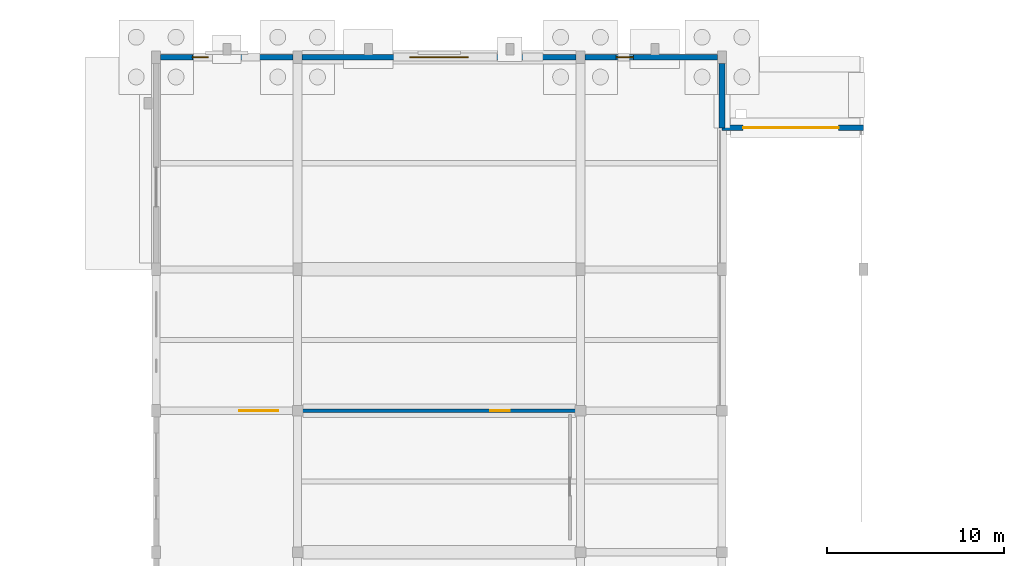
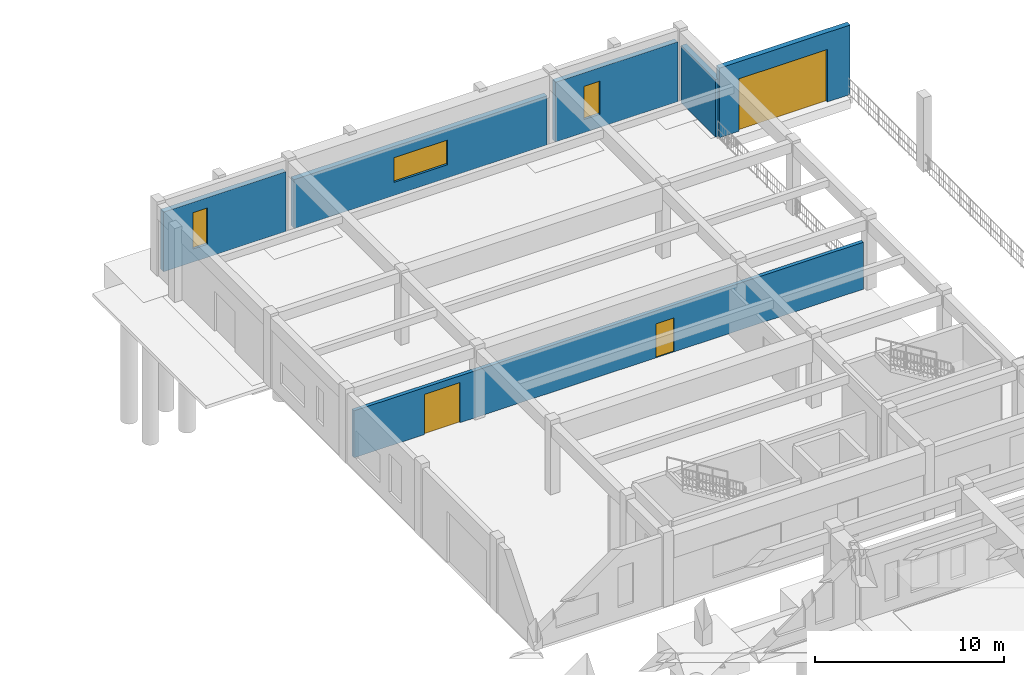
# One storey, part 51 of 68: 6 walls, 3 doors, 3 windows, 6 openings.
"""IFC4 building model written with IfcOpenShell, lengths in metres."""

from ifc_helpers import new_model, si_unit, direction, frame, frame_2d, origin, place, context, subcontext, project, spatial, rectangle, extrude, material, layer, layer_set, type_object, element, fill, save


model = new_model("IFC4")

# Units and contexts
model_context = context("Model", 3, precision=1e-05, world=origin(), true_north=direction((0.0, 1.0)))
body_context = subcontext(model_context, "Body", "Model", "MODEL_VIEW")
ifc_project = project(units=[si_unit("LENGTHUNIT", "METRE"), si_unit("AREAUNIT", "SQUARE_METRE"), si_unit("VOLUMEUNIT", "CUBIC_METRE"), si_unit("PLANEANGLEUNIT", "RADIAN"), si_unit("MASSUNIT", "GRAM", prefix="KILO")], contexts=[model_context])

# Site, building, storey
site_placement = place(None, origin())
site = spatial("IfcSite", under=ifc_project, at=site_placement, CompositionType="ELEMENT")
building_placement = place(site_placement, origin())
building = spatial("IfcBuilding", under=site, at=building_placement, Name="Serraluz Foothill Cableway Terminal", CompositionType="ELEMENT")
storey_placement = place(building_placement, origin())
storey = spatial("IfcBuildingStorey", under=building, at=storey_placement, Name="L00", CompositionType="ELEMENT", Elevation=0.0)

# Wall, opening, door
ifc_material_1 = material(Name="Dark clinker clay masonry brick (f'm 14 MPa)", Category="masonry")
ifc_layer_1 = layer(ifc_material_1, 0.320068359375, Name="Dark clinker clay masonry brick (f'm 14 MPa)", Category="masonry")
ifc_layer_set_1 = layer_set([ifc_layer_1], Name="Dark clinker clay masonry brick (f'm 14 MPa)")
wall_type_1 = type_object("IfcWallType", Name="TYP-WL-EXT-320", PredefinedType="STANDARD", material=ifc_layer_set_1)
wall_1_placement = place(storey_placement, frame((104.0, 112.0, 0.0), z_axis=(0.0, 0.0, 1.0), x_axis=(1.0, 0.0, 0.0)))
wall_1 = element("IfcWall", 1, at=wall_1_placement, inside=storey, type_object=wall_type_1, Name="Exterior Masonry Wall EW-V4-RAMP-GATE", PredefinedType="STANDARD", context=body_context, shape_type="SweptSolid", body=[
    extrude(rectangle(XDim=8.0, YDim=0.320068359375, at=frame_2d((4.0, 0.0))), origin(), (0.0, 0.0, 1.0), 4.5),
])
opening_1_placement = place(wall_1_placement, frame((1.199951171875, 0.0, 0.0)))
opening_1 = element("IfcOpeningElement", 2, at=opening_1_placement, cuts=wall_1, Name="Opening GV-01", PredefinedType="OPENING", context=body_context, shape_type="SweptSolid", body=[
    extrude(rectangle(XDim=5.39990234375, YDim=3.39990234375, at=frame_2d((2.699951171875, 1.699951171875))), frame((0.0, 0.169921875, 0.0), z_axis=(0.0, -1.0, 0.0), x_axis=(1.0, 0.0, 0.0)), (0.0, 0.0, 1.0), 0.340087890625),
])
ifc_material_2 = material(Name="Galvanized hollow-metal steel sheet", Category="steel")
door_type_1 = type_object("IfcDoorType", Name="TYP-GT-VEH-5400", OperationType="ROLLINGUP", PredefinedType="GATE", material=ifc_material_2)
door_1_placement = place(opening_1_placement, origin())
door_1 = element("IfcDoor", 3, at=door_1_placement, inside=storey, type_object=door_type_1, Name="Exterior door D-VG01", OperationType="ROLLINGUP", OverallHeight=3.39990234375, OverallWidth=5.39990234375, PredefinedType="GATE", context=body_context, shape_type="SweptSolid", body=[
    extrude(rectangle(XDim=5.39990234375, YDim=3.39990234375, at=frame_2d((2.699951171875, 1.699951171875))), frame((0.0, 0.02490234375, 0.0), z_axis=(0.0, -1.0, 0.0), x_axis=(1.0, 0.0, 0.0)), (0.0, 0.0, 1.0), 0.050048828125),
])
fill(opening_1, door_1)

# Wall, opening, window
wall_2_placement = place(storey_placement, frame((72.25, 116.0, 0.0), z_axis=(0.0, 0.0, 1.0), x_axis=(1.0, 0.0, 0.0)))
wall_2 = element("IfcWall", 4, at=wall_2_placement, inside=storey, type_object=wall_type_1, Name="Exterior Masonry Wall EW-V4N-L00-1A", PredefinedType="STANDARD", context=body_context, shape_type="SweptSolid", body=[
    extrude(rectangle(XDim=7.5, YDim=0.320068359375, at=frame_2d((3.75, 0.0))), origin(), (0.0, 0.0, 1.0), 3.8701171875),
])
opening_2_placement = place(wall_2_placement, frame((1.800048828125, 0.0, 0.85009765625)))
opening_2 = element("IfcOpeningElement", 5, at=opening_2_placement, cuts=wall_2, Name="Opening W-37", PredefinedType="OPENING", context=body_context, shape_type="SweptSolid", body=[
    extrude(rectangle(XDim=0.89990234375, YDim=2.35009765625, at=frame_2d((0.449951171875, 1.175048828125))), frame((0.0, 0.169921875, 0.0), z_axis=(0.0, -1.0, 0.0), x_axis=(1.0, 0.0, 0.0)), (0.0, 0.0, 1.0), 0.340087890625),
])
ifc_material_3 = material(Name="Laminated low-E safety glass", Category="glass")
window_type_1 = type_object("IfcWindowType", Name="TYP-WN-090X235", PartitioningType="SINGLE_PANEL", PredefinedType="WINDOW", material=ifc_material_3)
window_1_placement = place(opening_2_placement, origin())
window_1 = element("IfcWindow", 6, at=window_1_placement, inside=storey, type_object=window_type_1, Name="Exterior Window EW-V4N-L00-1A-WN1", OverallHeight=2.35009765625, OverallWidth=0.89990234375, PartitioningType="SINGLE_PANEL", PredefinedType="WINDOW", context=body_context, shape_type="SweptSolid", body=[
    extrude(rectangle(XDim=0.89990234375, YDim=2.35009765625, at=frame_2d((0.449951171875, 1.175048828125))), frame((0.0, 0.030029296875, 0.0), z_axis=(0.0, -1.0, 0.0), x_axis=(1.0, 0.0, 0.0)), (0.0, 0.0, 1.0), 0.06005859375),
])
fill(opening_2, window_1)

wall_3_placement = place(storey_placement, frame((80.25, 116.0, 0.0), z_axis=(0.0, 0.0, 1.0), x_axis=(1.0, 0.0, 0.0)))
wall_3 = element("IfcWall", 7, at=wall_3_placement, inside=storey, type_object=wall_type_1, Name="Exterior Masonry Wall EW-V4N-L00-1B", PredefinedType="STANDARD", context=body_context, shape_type="SweptSolid", body=[
    extrude(rectangle(XDim=15.5, YDim=0.320068359375, at=frame_2d((7.75, 0.0))), origin(), (0.0, 0.0, 1.0), 3.169921875),
])
opening_3_placement = place(wall_3_placement, frame((6.10009765625, 0.0, 0.85009765625)))
opening_3 = element("IfcOpeningElement", 8, at=opening_3_placement, cuts=wall_3, Name="Opening W-18", PredefinedType="OPENING", context=body_context, shape_type="SweptSolid", body=[
    extrude(rectangle(XDim=3.300048828125, YDim=1.60009765625, at=frame_2d((1.64990234375, 0.800048828125))), frame((0.0, 0.169921875, 0.0), z_axis=(0.0, -1.0, 0.0), x_axis=(1.0, 0.0, 0.0)), (0.0, 0.0, 1.0), 0.340087890625),
])
window_type_2 = type_object("IfcWindowType", Name="TYP-WN-330X160", PartitioningType="TRIPLE_PANEL_VERTICAL", PredefinedType="WINDOW", material=ifc_material_3)
window_2_placement = place(opening_3_placement, origin())
window_2 = element("IfcWindow", 9, at=window_2_placement, inside=storey, type_object=window_type_2, Name="Exterior Window EW-V4N-L00-1B-WN2", OverallHeight=1.60009765625, OverallWidth=3.300048828125, PartitioningType="SINGLE_PANEL", PredefinedType="WINDOW", context=body_context, shape_type="SweptSolid", body=[
    extrude(rectangle(XDim=3.300048828125, YDim=1.60009765625, at=frame_2d((1.64990234375, 0.800048828125))), frame((0.0, 0.030029296875, 0.0), z_axis=(0.0, -1.0, 0.0), x_axis=(1.0, 0.0, 0.0)), (0.0, 0.0, 1.0), 0.06005859375),
])
fill(opening_3, window_2)

wall_4_placement = place(storey_placement, frame((96.25, 116.0, 0.0), z_axis=(0.0, 0.0, 1.0), x_axis=(1.0, 0.0, 0.0)))
wall_4 = element("IfcWall", 10, at=wall_4_placement, inside=storey, type_object=wall_type_1, Name="Exterior Masonry Wall EW-V4N-L00-2", PredefinedType="STANDARD", context=body_context, shape_type="SweptSolid", body=[
    extrude(rectangle(XDim=7.5, YDim=0.320068359375, at=frame_2d((3.75, 0.0))), origin(), (0.0, 0.0, 1.0), 3.8701171875),
])
opening_4_placement = place(wall_4_placement, frame((1.760009765625, 0.0, 0.85009765625)))
opening_4 = element("IfcOpeningElement", 11, at=opening_4_placement, cuts=wall_4, Name="Opening W-49", PredefinedType="OPENING", context=body_context, shape_type="SweptSolid", body=[
    extrude(rectangle(XDim=0.97998046875, YDim=2.14990234375, at=frame_2d((0.489990234375, 1.074951171875))), frame((0.0, 0.169921875, 0.0), z_axis=(0.0, -1.0, 0.0), x_axis=(1.0, 0.0, 0.0)), (0.0, 0.0, 1.0), 0.340087890625),
])
window_type_3 = type_object("IfcWindowType", Name="TYP-WN-098X215", PartitioningType="SINGLE_PANEL", PredefinedType="WINDOW", material=ifc_material_3)
window_3_placement = place(opening_4_placement, origin())
window_3 = element("IfcWindow", 12, at=window_3_placement, inside=storey, type_object=window_type_3, Name="Exterior Window EW-V4N-L00-2-WN1", OverallHeight=2.14990234375, OverallWidth=0.97998046875, PartitioningType="SINGLE_PANEL", PredefinedType="WINDOW", context=body_context, shape_type="SweptSolid", body=[
    extrude(rectangle(XDim=0.97998046875, YDim=2.14990234375, at=frame_2d((0.489990234375, 1.074951171875))), frame((0.0, 0.030029296875, 0.0), z_axis=(0.0, -1.0, 0.0), x_axis=(1.0, 0.0, 0.0)), (0.0, 0.0, 1.0), 0.06005859375),
])
fill(opening_4, window_3)

# Wall
wall_5_placement = place(storey_placement, frame((104.0, 115.64990234375, 0.0), z_axis=(0.0, 0.0, 1.0), x_axis=(0.0, -1.0, 0.0)))
element("IfcWall", 13, at=wall_5_placement, inside=storey, type_object=wall_type_1, Name="Exterior Masonry Wall EW-V4E-L00-N", PredefinedType="STANDARD", context=body_context, shape_type="SweptSolid", body=[
    extrude(rectangle(XDim=3.64990234375, YDim=0.320068359375, at=frame_2d((1.824951171875, 0.0))), origin(), (0.0, 0.0, 1.0), 3.719970703125),
])

# Wall, openings, doors
ifc_material_4 = material(Name="Concrete C28/35 (f'c 28 MPa)", Category="concrete")
ifc_layer_2 = layer(ifc_material_4, 0.219970703125, Name="Concrete C28/35 (f'c 28 MPa)", Category="concrete")
ifc_layer_set_2 = layer_set([ifc_layer_2], Name="Concrete C28/35 (f'c 28 MPa)")
wall_type_2 = type_object("IfcWallType", Name="TYP-WL-PRT-220", PredefinedType="PARTITIONING", material=ifc_layer_set_2)
wall_6_placement = place(storey_placement, frame((72.39990234375, 96.0, 0.0), z_axis=(0.0, 0.0, 1.0), x_axis=(1.0, 0.0, 0.0)))
wall_6 = element("IfcWall", 14, at=wall_6_placement, inside=storey, type_object=wall_type_2, Name="Interior Partition PT-L00-11", PredefinedType="PARTITIONING", context=body_context, shape_type="SweptSolid", body=[
    extrude(rectangle(XDim=31.2001953125, YDim=0.219970703125, at=frame_2d((15.60009765625, 0.0))), origin(), (0.0, 0.0, 1.0), 3.0419921875),
])
opening_5_placement = place(wall_6_placement, frame((4.300048828125, 0.0, 0.0)))
opening_5 = element("IfcOpeningElement", 15, at=opening_5_placement, cuts=wall_6, Name="Opening DP-03", PredefinedType="OPENING", context=body_context, shape_type="SweptSolid", body=[
    extrude(rectangle(XDim=2.199951171875, YDim=2.60009765625, at=frame_2d((1.10009765625, 1.300048828125))), frame((0.0, 0.1201171875, 0.0), z_axis=(0.0, -1.0, 0.0), x_axis=(1.0, 0.0, 0.0)), (0.0, 0.0, 1.0), 0.239990234375),
])
opening_6_placement = place(wall_6_placement, frame((18.5, 0.0, 0.0)))
opening_6 = element("IfcOpeningElement", 16, at=opening_6_placement, cuts=wall_6, Name="Opening DF-07", PredefinedType="OPENING", context=body_context, shape_type="SweptSolid", body=[
    extrude(rectangle(XDim=1.10009765625, YDim=2.199951171875, at=frame_2d((0.550048828125, 1.10009765625))), frame((0.0, 0.1201171875, 0.0), z_axis=(0.0, -1.0, 0.0), x_axis=(1.0, 0.0, 0.0)), (0.0, 0.0, 1.0), 0.239990234375),
])
door_type_2 = type_object("IfcDoorType", Name="TYP-DR-FD60-1100", OperationType="NOTDEFINED", PredefinedType="DOOR", material=ifc_material_2)
door_2_placement = place(opening_6_placement, origin())
door_2 = element("IfcDoor", 17, at=door_2_placement, inside=storey, type_object=door_type_2, Name="Interior Door PT-L00-11-DR2", OperationType="SINGLE_SWING_RIGHT", OverallHeight=2.199951171875, OverallWidth=1.10009765625, PredefinedType="DOOR", context=body_context, shape_type="SweptSolid", body=[
    extrude(rectangle(XDim=1.10009765625, YDim=2.199951171875, at=frame_2d((0.550048828125, 1.10009765625))), frame((0.0, 0.02490234375, 0.0), z_axis=(0.0, -1.0, 0.0), x_axis=(1.0, 0.0, 0.0)), (0.0, 0.0, 1.0), 0.050048828125),
])
fill(opening_6, door_2)
door_type_3 = type_object("IfcDoorType", Name="TYP-DR-PLNT-2200", OperationType="DOUBLE_DOOR_SINGLE_SWING", PredefinedType="DOOR", material=ifc_material_2)
door_3_placement = place(opening_5_placement, origin())
door_3 = element("IfcDoor", 18, at=door_3_placement, inside=storey, type_object=door_type_3, Name="Interior Door PT-L00-11-DR1", OperationType="DOUBLE_DOOR_SINGLE_SWING", OverallHeight=2.60009765625, OverallWidth=2.199951171875, PredefinedType="DOOR", context=body_context, shape_type="SweptSolid", body=[
    extrude(rectangle(XDim=2.199951171875, YDim=2.60009765625, at=frame_2d((1.10009765625, 1.300048828125))), frame((0.0, 0.02490234375, 0.0), z_axis=(0.0, -1.0, 0.0), x_axis=(1.0, 0.0, 0.0)), (0.0, 0.0, 1.0), 0.050048828125),
])
fill(opening_5, door_3)

save(model, "model.ifc")
